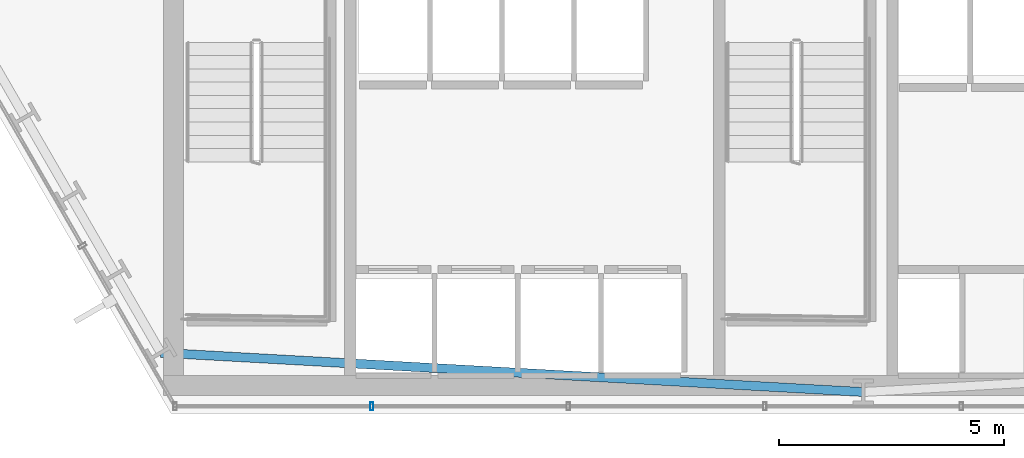
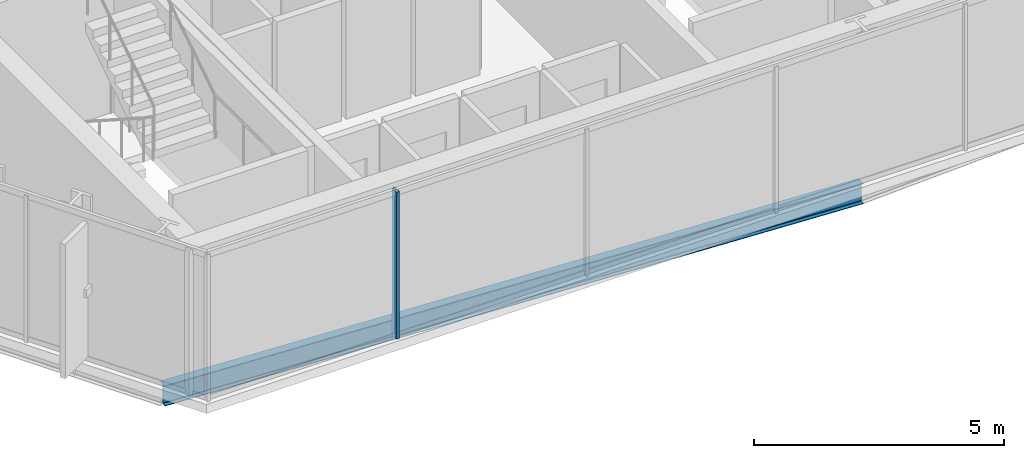
# One storey, part 3 of 33: 1 beam, 1 member, 1 element without a shape of its own.
"""IFC4 building model written with IfcOpenShell, lengths in metres."""

from ifc_helpers import new_model, si_unit, direction, frame, origin, origin_2d, place, context, subcontext, project, spatial, hollow_rectangle, i_section, extrude, material, layer, layer_set, material_profile, profile_set, type_object, element, aggregate, save


model = new_model("IFC4")

# Units and contexts
model_context = context("Model", 3, precision=1e-05, world=origin(), true_north=direction((0.0, 1.0)))
body_context = subcontext(model_context, "Body", "Model", "MODEL_VIEW")
ifc_project = project(units=[si_unit("LENGTHUNIT", "METRE"), si_unit("AREAUNIT", "SQUARE_METRE"), si_unit("VOLUMEUNIT", "CUBIC_METRE"), si_unit("PLANEANGLEUNIT", "RADIAN"), si_unit("MASSUNIT", "GRAM", prefix="KILO")], contexts=[model_context])

# Site, building, storey
site_placement = place(None, origin())
site = spatial("IfcSite", under=ifc_project, at=site_placement, CompositionType="ELEMENT")
building_placement = place(site_placement, origin())
building = spatial("IfcBuilding", under=site, at=building_placement, Name="Ndaravel Arena Tower", CompositionType="ELEMENT")
storey_placement = place(building_placement, frame((0.0, 0.0, 39.800048828125)))
storey = spatial("IfcBuildingStorey", under=building, at=storey_placement, Name="L07", CompositionType="ELEMENT", Elevation=39.800048828125)

# Beam
ifc_material_1 = material(Name="Steel S355", Category="steel")
ifc_material_profile_1 = material_profile(ifc_material_1, i_section(OverallWidth=0.199951171875, OverallDepth=0.5, WebThickness=0.01025390625, FlangeThickness=0.01611328125, FilletRadius=0.02099609375, at=origin_2d()), Name="IPE 500")
ifc_profile_set_1 = profile_set([ifc_material_profile_1], Name="Steel S355")
beam_type = type_object("IfcBeamType", Name="BM-SPAN-IPE500", PredefinedType="SPANDREL", material=ifc_profile_set_1)
beam_placement = place(storey_placement, frame((26.39306640625, 6.351806640625, -0.469970703125), z_axis=(0.998443390482, -0.055774510331, 0.0), x_axis=(0.055774510331, 0.998443390482, 0.0)))
element("IfcBeam", 1, at=beam_placement, inside=storey, type_object=beam_type, Name="L07 Perimeter Spandrel Beam SP-27", PredefinedType="SPANDREL", context=body_context, shape_type="SweptSolid", body=[
    extrude(i_section(OverallWidth=0.199951171875, OverallDepth=0.5, WebThickness=0.01025390625, FlangeThickness=0.01611328125, FilletRadius=0.02099609375, at=origin_2d()), origin(), (0.0, 0.0, 1.0), 15.63134765625),
])

# Curtain wall, member
ifc_material_2 = material(Name="Aluminium", Category="aluminium")
ifc_layer = layer(ifc_material_2, 0.179931640625)
ifc_layer_set = layer_set([ifc_layer], Name="Aluminium")
curtain_wall_type = type_object("IfcCurtainWallType", Name="CW-SYS-03", PredefinedType="NOTDEFINED", material=ifc_layer_set)
curtain_wall_placement = place(storey_placement, origin())
curtain_wall = element("IfcCurtainWall", 2, at=curtain_wall_placement, inside=storey, type_object=curtain_wall_type, Name="L07 Faceted Crystal Curtain Wall CW-L07-E01", PredefinedType="NOTDEFINED")
ifc_material_3 = material(Name="Aluminium", Category="aluminium")
ifc_material_profile_2 = material_profile(ifc_material_3, hollow_rectangle(XDim=0.074951171875, YDim=0.179931640625, WallThickness=0.00390625, at=origin_2d()), Name="CW MULLION 75x180x4")
ifc_profile_set_2 = profile_set([ifc_material_profile_2], Name="Aluminium")
member_type = type_object("IfcMemberType", Name="MEM-CW-MUL180", PredefinedType="MULLION", material=ifc_profile_set_2)
member_placement = place(storey_placement, frame((31.079833984375, 5.159912109375, 0.0), z_axis=(0.0, 0.0, 1.0), x_axis=(1.0, 0.0, 0.0)))
member = element("IfcMember", 3, at=member_placement, type_object=member_type, Name="CW-L07-E01 Mullion 01", PredefinedType="MULLION", context=body_context, shape_type="SweptSolid", body=[
    extrude(hollow_rectangle(XDim=0.074951171875, YDim=0.179931640625, WallThickness=0.00390625, at=origin_2d()), origin(), (0.0, 0.0, 1.0), 3.579833984375),
])
aggregate(curtain_wall, [member])

save(model, "model.ifc")
